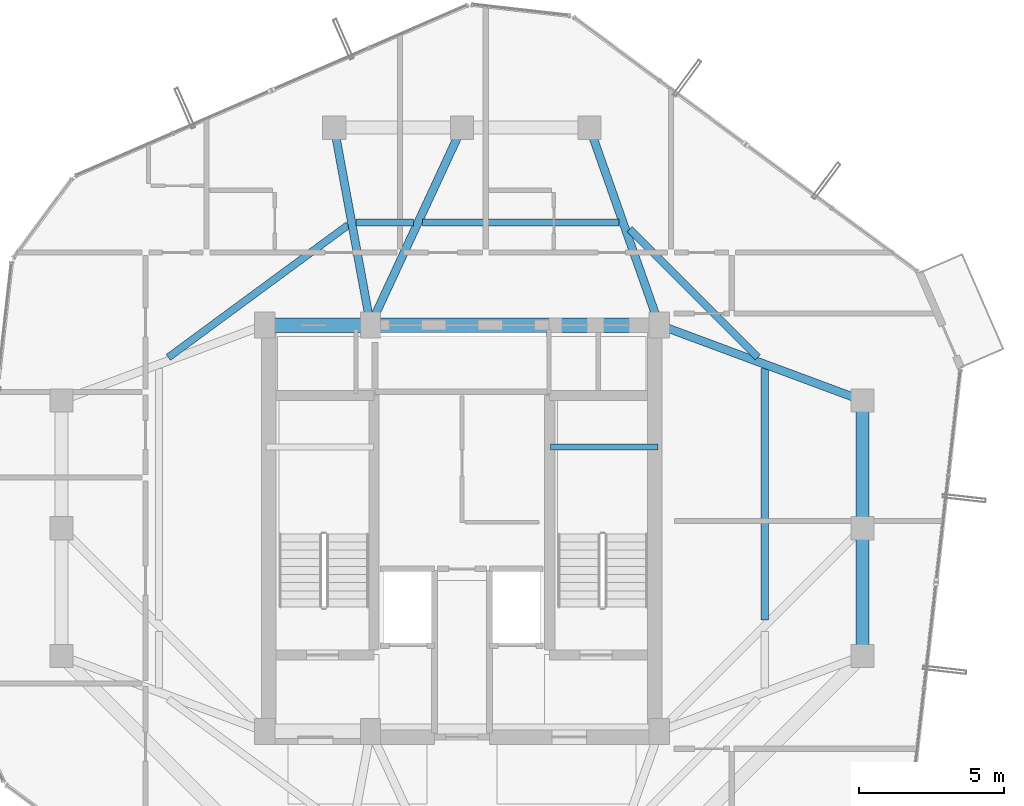
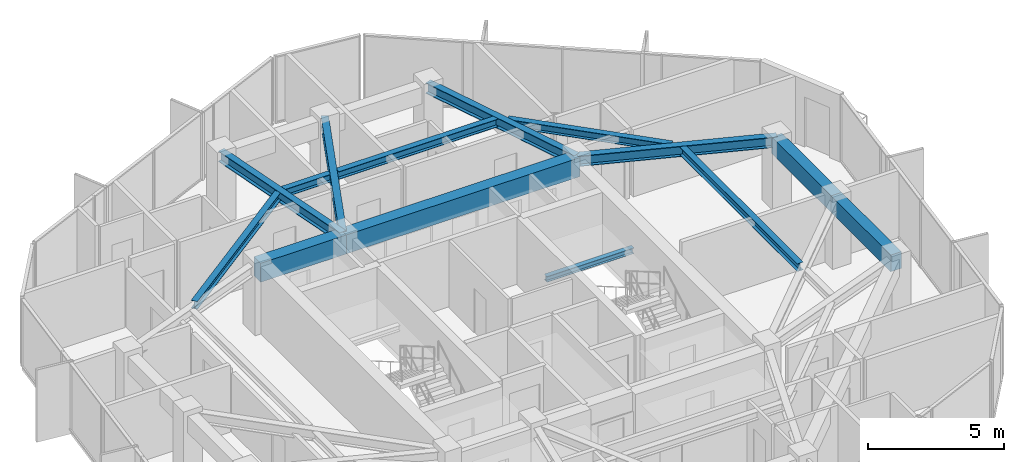
# One storey, part 15 of 30: 14 beams.
"""IFC4 building model written with IfcOpenShell, lengths in metres."""

from ifc_helpers import new_model, si_unit, direction, frame, origin, origin_2d, place, context, subcontext, project, spatial, rectangle, i_section, extrude, material, material_profile, profile_set, type_object, element, save


model = new_model("IFC4")

# Units and contexts
model_context = context("Model", 3, precision=1e-05, world=origin(), true_north=direction((0.0, 1.0)))
body_context = subcontext(model_context, "Body", "Model", "MODEL_VIEW")
ifc_project = project(units=[si_unit("LENGTHUNIT", "METRE"), si_unit("AREAUNIT", "SQUARE_METRE"), si_unit("VOLUMEUNIT", "CUBIC_METRE"), si_unit("PLANEANGLEUNIT", "RADIAN"), si_unit("MASSUNIT", "GRAM", prefix="KILO")], contexts=[model_context])

# Site, building, storey
site_placement = place(None, origin())
site = spatial("IfcSite", under=ifc_project, at=site_placement, CompositionType="ELEMENT")
building_placement = place(site_placement, origin())
building = spatial("IfcBuilding", under=site, at=building_placement, Name="Veraguas Prism Commons", CompositionType="ELEMENT")
storey_placement = place(building_placement, frame((0.0, 0.0, 230.050048828125)))
storey = spatial("IfcBuildingStorey", under=building, at=storey_placement, Name="L65", CompositionType="ELEMENT", Elevation=230.050048828125)

# Beams
ifc_material_1 = material(Name="Concrete C50/60", Category="concrete")
ifc_material_profile_1 = material_profile(ifc_material_1, rectangle(XDim=0.5, YDim=0.85009765625, at=origin_2d()), Name="RC500X850")
ifc_profile_set_1 = profile_set([ifc_material_profile_1], Name="Concrete C50/60")
beam_type_1 = type_object("IfcBeamType", Name="Core Coupling Beam RC 500x850", PredefinedType="BEAM", material=ifc_profile_set_1)
beam_1_placement = place(storey_placement, frame((17.199951171875, 31.0, 2.58984375), z_axis=(1.0, 0.0, 0.0), x_axis=(0.0, 1.0, 0.0)))
element("IfcBeam", 1, at=beam_1_placement, inside=storey, type_object=beam_type_1, Name="Core Coupling Beam L65-CRN1", PredefinedType="BEAM", context=body_context, shape_type="SweptSolid", body=[
    extrude(rectangle(XDim=0.5, YDim=0.85009765625, at=origin_2d()), origin(), (0.0, 0.0, 1.0), 3.650146484375),
])
beam_2_placement = place(storey_placement, frame((20.85009765625, 31.0, 2.58984375), z_axis=(1.0, 0.0, 0.0), x_axis=(0.0, 1.0, 0.0)))
element("IfcBeam", 2, at=beam_2_placement, inside=storey, type_object=beam_type_1, Name="Core Coupling Beam L65-CRN2", PredefinedType="BEAM", context=body_context, shape_type="SweptSolid", body=[
    extrude(rectangle(XDim=0.5, YDim=0.85009765625, at=origin_2d()), origin(), (0.0, 0.0, 1.0), 9.949951171875),
])
ifc_material_profile_2 = material_profile(ifc_material_1, rectangle(XDim=0.449951171875, YDim=0.75, at=origin_2d()), Name="RC450X750")
ifc_profile_set_2 = profile_set([ifc_material_profile_2], Name="Concrete C50/60")
beam_type_2 = type_object("IfcBeamType", Name="Perimeter Spandrel Upper RC 450x750", PredefinedType="SPANDREL", material=ifc_profile_set_2)
for number, where, z_axis, x_axis, name in (
    (3, (37.800048828125, 19.60009765625, 2.639892578125), (0.0, 1.0, 0.0), (-1.0, 0.0, 0.0), "Perimeter Spandrel Beam L65-SP01"),
    (4, (37.800048828125, 24.0, 2.639892578125), (0.0, 1.0, 0.0), (-1.0, 0.0, 0.0), "Perimeter Spandrel Beam L65-SP02"),
):
    element("IfcBeam", number, at=place(storey_placement, frame(where, z_axis=z_axis, x_axis=x_axis)), inside=storey, type_object=beam_type_2, Name=name, PredefinedType="SPANDREL", context=body_context, shape_type="SweptSolid", body=[
        extrude(rectangle(XDim=0.449951171875, YDim=0.75, at=origin_2d()), origin(), (0.0, 0.0, 1.0), 4.39990234375),
    ])
ifc_material_2 = material(Name="Steel ASTM A992 Grade 50", Category="steel")
ifc_material_profile_3 = material_profile(ifc_material_2, i_section(OverallWidth=0.202880859375, OverallDepth=0.251953125, WebThickness=0.008056640625, FlangeThickness=0.013427734375, at=origin_2d()), Name="W250X58")
ifc_profile_set_3 = profile_set([ifc_material_profile_3], Name="Steel ASTM A992 Grade 50")
beam_type_3 = type_object("IfcBeamType", Name="Structural Opening Lintel W250x58", PredefinedType="LINTEL", material=ifc_profile_set_3)
beam_3_placement = place(storey_placement, frame((27.050048828125, 26.800048828125, 1.299072265625), z_axis=(1.0, 0.0, 0.0), x_axis=(0.0, 1.0, 0.0)))
element("IfcBeam", 5, at=beam_3_placement, inside=storey, type_object=beam_type_3, Name="Stair ST-02 Half-Landing Support Beam L65-1", PredefinedType="LINTEL", context=body_context, shape_type="SweptSolid", body=[
    extrude(i_section(OverallWidth=0.202880859375, OverallDepth=0.251953125, WebThickness=0.008056640625, FlangeThickness=0.013427734375, at=origin_2d()), origin(), (0.0, 0.0, 1.0), 3.699951171875),
])
ifc_material_profile_4 = material_profile(ifc_material_2, i_section(OverallWidth=0.25390625, OverallDepth=0.35302734375, WebThickness=0.009521484375, FlangeThickness=0.016357421875, at=origin_2d()), Name="W360X91")
ifc_profile_set_4 = profile_set([ifc_material_profile_4], Name="Steel ASTM A992 Grade 50")
beam_type_4 = type_object("IfcBeamType", Name="Upper Floor Joist W360x91", PredefinedType="JOIST", material=ifc_profile_set_4)
beam_4_placement = place(storey_placement, frame((34.43994140625, 20.83740234375, 2.83837890625), z_axis=(0.0, 1.0, 0.0), x_axis=(-1.0, 0.0, 0.0)))
element("IfcBeam", 6, at=beam_4_placement, inside=storey, type_object=beam_type_4, Name="Composite Floor Joist L65-JS02", PredefinedType="JOIST", context=body_context, shape_type="SweptSolid", body=[
    extrude(i_section(OverallWidth=0.25390625, OverallDepth=0.35302734375, WebThickness=0.009521484375, FlangeThickness=0.016357421875, at=origin_2d()), origin(), (0.0, 0.0, 1.0), 8.661865234375),
])
beam_5_placement = place(storey_placement, frame((34.203369140625, 29.884765625, 2.83837890625), z_axis=(-0.707126297541, 0.707087264294, 0.0), x_axis=(-0.707087264294, -0.707126297541, 0.0)))
element("IfcBeam", 7, at=beam_5_placement, inside=storey, type_object=beam_type_4, Name="Composite Floor Joist L65-JS03", PredefinedType="JOIST", context=body_context, shape_type="SweptSolid", body=[
    extrude(i_section(OverallWidth=0.25390625, OverallDepth=0.35302734375, WebThickness=0.009521484375, FlangeThickness=0.016357421875, at=origin_2d()), origin(), (0.0, 0.0, 1.0), 6.254638671875),
])
beam_6_placement = place(storey_placement, frame((29.404052734375, 34.535888671875, 2.83837890625), z_axis=(-1.0, 0.0, 0.0), x_axis=(0.0, -1.0, 0.0)))
element("IfcBeam", 8, at=beam_6_placement, inside=storey, type_object=beam_type_4, Name="Composite Floor Joist L65-JS04", PredefinedType="JOIST", context=body_context, shape_type="SweptSolid", body=[
    extrude(i_section(OverallWidth=0.25390625, OverallDepth=0.35302734375, WebThickness=0.009521484375, FlangeThickness=0.016357421875, at=origin_2d()), origin(), (0.0, 0.0, 1.0), 6.762451171875),
])
beam_7_placement = place(storey_placement, frame((22.334228515625, 34.535888671875, 2.83837890625), z_axis=(-1.0, 0.0, 0.0), x_axis=(0.0, -1.0, 0.0)))
element("IfcBeam", 9, at=beam_7_placement, inside=storey, type_object=beam_type_4, Name="Composite Floor Joist L65-JS05", PredefinedType="JOIST", context=body_context, shape_type="SweptSolid", body=[
    extrude(i_section(OverallWidth=0.25390625, OverallDepth=0.35302734375, WebThickness=0.009521484375, FlangeThickness=0.016357421875, at=origin_2d()), origin(), (0.0, 0.0, 1.0), 1.992431640625),
])
beam_8_placement = place(storey_placement, frame((20.0751953125, 34.444091796875, 2.83837890625), z_axis=(-0.805319835229, -0.592840588174, 0.0), x_axis=(0.592840588174, -0.805319835229, 0.0)))
element("IfcBeam", 10, at=beam_8_placement, inside=storey, type_object=beam_type_4, Name="Composite Floor Joist L65-JS06", PredefinedType="JOIST", context=body_context, shape_type="SweptSolid", body=[
    extrude(i_section(OverallWidth=0.25390625, OverallDepth=0.35302734375, WebThickness=0.009521484375, FlangeThickness=0.016357421875, at=origin_2d()), origin(), (0.0, 0.0, 1.0), 7.69140625),
])
ifc_material_profile_5 = material_profile(ifc_material_2, i_section(OverallWidth=0.282958984375, OverallDepth=0.471923828125, WebThickness=0.013671875, FlangeThickness=0.022216796875, at=origin_2d()), Name="W460X144")
ifc_profile_set_5 = profile_set([ifc_material_profile_5], Name="Steel ASTM A992 Grade 50")
beam_type_5 = type_object("IfcBeamType", Name="Zone 4 Radial Girder W460x144", PredefinedType="BEAM", material=ifc_profile_set_5)
beam_9_placement = place(storey_placement, frame((37.800048828125, 28.39990234375, 2.779052734375), z_axis=(-0.937421003341, 0.348198021958, 0.0), x_axis=(-0.348198021958, -0.937421003341, 0.0)))
element("IfcBeam", 11, at=beam_9_placement, inside=storey, type_object=beam_type_5, Name="Radial Floor Girder L65-RD03", PredefinedType="BEAM", context=body_context, shape_type="SweptSolid", body=[
    extrude(i_section(OverallWidth=0.282958984375, OverallDepth=0.471923828125, WebThickness=0.013671875, FlangeThickness=0.022216796875, at=origin_2d()), origin(), (0.0, 0.0, 1.0), 7.46728515625),
])
beam_10_placement = place(storey_placement, frame((28.39990234375, 37.800048828125, 2.779052734375), z_axis=(0.332836055941, -0.942984708182, 0.0), x_axis=(0.942984708182, 0.332836055941, 0.0)))
element("IfcBeam", 12, at=beam_10_placement, inside=storey, type_object=beam_type_5, Name="Radial Floor Girder L65-RD04", PredefinedType="BEAM", context=body_context, shape_type="SweptSolid", body=[
    extrude(i_section(OverallWidth=0.282958984375, OverallDepth=0.471923828125, WebThickness=0.013671875, FlangeThickness=0.022216796875, at=origin_2d()), origin(), (0.0, 0.0, 1.0), 7.211181640625),
])
beam_11_placement = place(storey_placement, frame((24.0, 37.800048828125, 2.779052734375), z_axis=(-0.420313834543, -0.907378796585, 0.0), x_axis=(0.907378796585, -0.420313834543, 0.0)))
element("IfcBeam", 13, at=beam_11_placement, inside=storey, type_object=beam_type_5, Name="Radial Floor Girder L65-RD05", PredefinedType="BEAM", context=body_context, shape_type="SweptSolid", body=[
    extrude(i_section(OverallWidth=0.282958984375, OverallDepth=0.471923828125, WebThickness=0.013671875, FlangeThickness=0.022216796875, at=origin_2d()), origin(), (0.0, 0.0, 1.0), 7.494140625),
])
beam_12_placement = place(storey_placement, frame((19.60009765625, 37.800048828125, 2.779052734375), z_axis=(0.180793033327, -0.983521163524, 0.0), x_axis=(0.983521163524, 0.180793033327, 0.0)))
element("IfcBeam", 14, at=beam_12_placement, inside=storey, type_object=beam_type_5, Name="Radial Floor Girder L65-RD06", PredefinedType="BEAM", context=body_context, shape_type="SweptSolid", body=[
    extrude(i_section(OverallWidth=0.282958984375, OverallDepth=0.471923828125, WebThickness=0.013671875, FlangeThickness=0.022216796875, at=origin_2d()), origin(), (0.0, 0.0, 1.0), 6.9140625),
])

save(model, "model.ifc")
